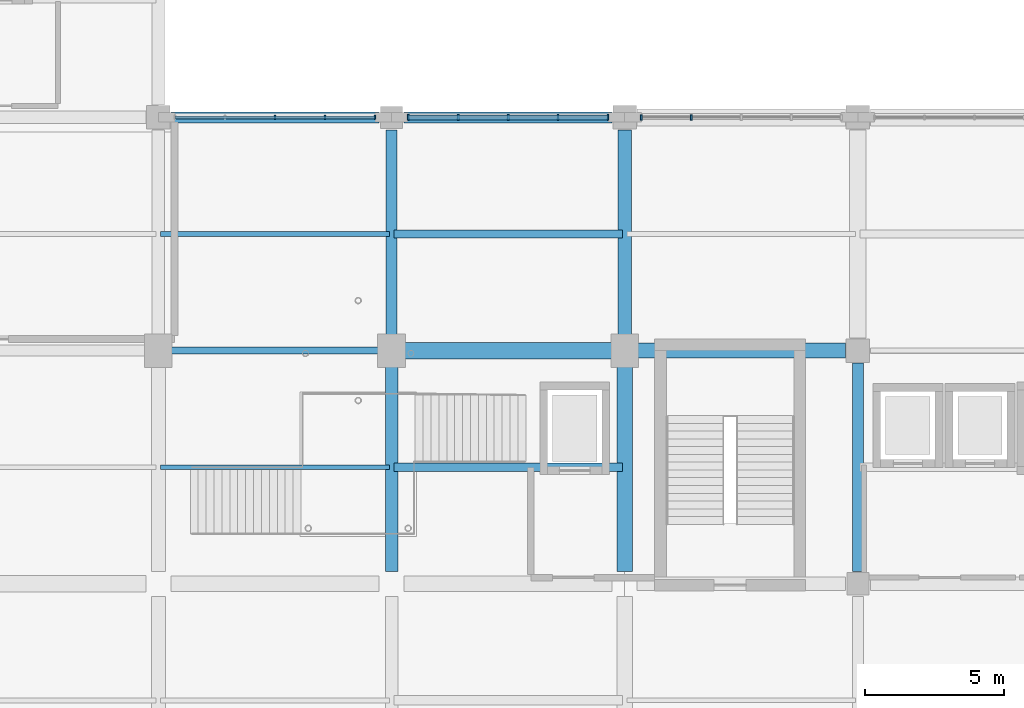
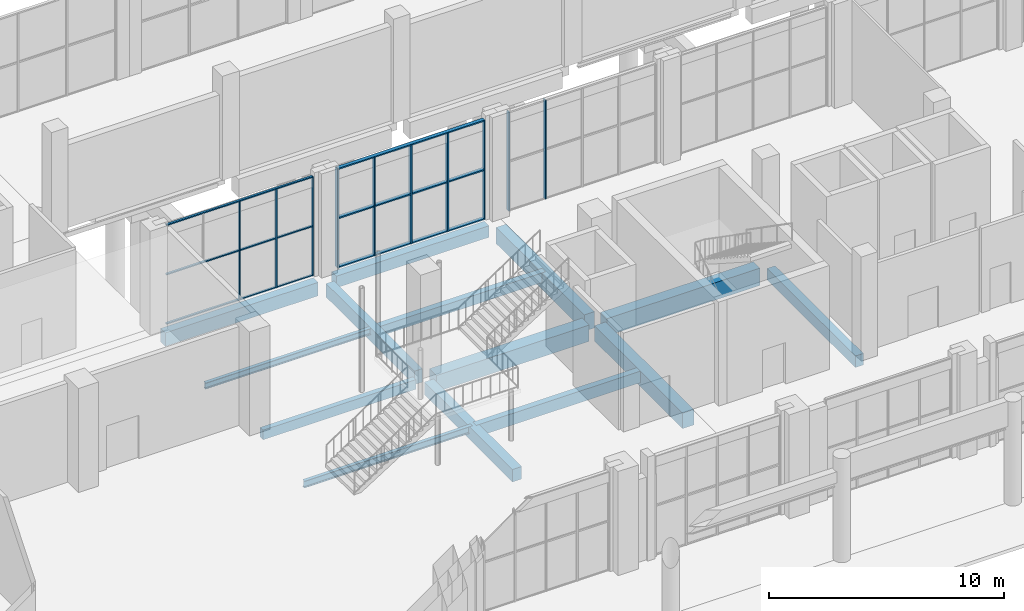
# One storey, part 28 of 82: 16 members, 14 beams, 3 elements without a shape of their own.
"""IFC4 building model written with IfcOpenShell, lengths in metres."""

from ifc_helpers import new_model, si_unit, derived_unit, direction, frame, origin, origin_2d, place, context, subcontext, project, spatial, rectangle, i_section, extrude, material, material_profile, profile_set, type_object, element, aggregate, save


model = new_model("IFC4")

# Units and contexts
model_context = context("Model", 3, precision=1e-05, world=origin(), true_north=direction((0.0, 1.0)))
body_context = subcontext(model_context, "Body", "Model", "MODEL_VIEW")
ifc_project = project(units=[si_unit("LENGTHUNIT", "METRE"), si_unit("AREAUNIT", "SQUARE_METRE"), si_unit("VOLUMEUNIT", "CUBIC_METRE"), si_unit("PLANEANGLEUNIT", "RADIAN"), si_unit("MASSUNIT", "GRAM", prefix="KILO"), derived_unit("THERMALTRANSMITTANCEUNIT", [(si_unit("POWERUNIT", "WATT"), 1), (si_unit("LENGTHUNIT", "METRE"), -2), (si_unit("THERMODYNAMICTEMPERATUREUNIT", "KELVIN"), -1)])], contexts=[model_context])

# Site, building, storey
site_placement = place(None, origin())
site = spatial("IfcSite", under=ifc_project, at=site_placement, CompositionType="ELEMENT")
building_placement = place(site_placement, origin())
building = spatial("IfcBuilding", under=site, at=building_placement, Name="Barrovel Congress Hotel", CompositionType="ELEMENT")
storey_placement = place(building_placement, origin())
storey = spatial("IfcBuildingStorey", under=building, at=storey_placement, Name="L00", CompositionType="ELEMENT", Elevation=0.0)

# Beams
ifc_material_1 = material(Name="Concrete C40", Category="concrete")
ifc_material_profile_1 = material_profile(ifc_material_1, rectangle(XDim=0.25, YDim=0.5, at=origin_2d()), Name="RC250x500")
ifc_profile_set_1 = profile_set([ifc_material_profile_1], Name="Concrete C40")
beam_type_1 = type_object("IfcBeamType", Name="BM-RC250x500", PredefinedType="SPANDREL", material=ifc_profile_set_1)
beam_1_placement = place(storey_placement, frame((59.25, 21.0, -0.570068359375), z_axis=(1.0, 0.0, 0.0), x_axis=(0.0, 1.0, 0.0)))
element("IfcBeam", 1, at=beam_1_placement, inside=storey, type_object=beam_type_1, Name="BMX:L00:21.0:58.8-67.2", PredefinedType="SPANDREL", context=body_context, shape_type="SweptSolid", body=[
    extrude(rectangle(XDim=0.25, YDim=0.5, at=origin_2d()), origin(), (0.0, 0.0, 1.0), 7.5),
])
ifc_material_profile_2 = material_profile(ifc_material_1, rectangle(XDim=0.300048828125, YDim=0.5, at=origin_2d()), Name="RC300x500")
ifc_profile_set_2 = profile_set([ifc_material_profile_2], Name="Concrete C40")
beam_type_2 = type_object("IfcBeamType", Name="BM-RC300x500", PredefinedType="JOIST", material=ifc_profile_set_2)
beam_2_placement = place(storey_placement, frame((67.280029296875, 25.199951171875, -0.570068359375), z_axis=(1.0, 0.0, 0.0), x_axis=(0.0, 1.0, 0.0)))
element("IfcBeam", 2, at=beam_2_placement, inside=storey, type_object=beam_type_2, Name="JST:L00:67.2:25.2", PredefinedType="JOIST", context=body_context, shape_type="SweptSolid", body=[
    extrude(rectangle(XDim=0.300048828125, YDim=0.5, at=origin_2d()), origin(), (0.0, 0.0, 1.0), 8.239990234375),
])
ifc_material_profile_3 = material_profile(ifc_material_1, rectangle(XDim=0.300048828125, YDim=0.60009765625, at=origin_2d()), Name="RC300x600")
ifc_profile_set_3 = profile_set([ifc_material_profile_3], Name="Concrete C40")
beam_type_3 = type_object("IfcBeamType", Name="BM-RC300x600", PredefinedType="JOIST", material=ifc_profile_set_3)
beam_3_placement = place(storey_placement, frame((67.280029296875, 16.800048828125, -0.6201171875), z_axis=(1.0, 0.0, 0.0), x_axis=(0.0, 1.0, 0.0)))
element("IfcBeam", 3, at=beam_3_placement, inside=storey, type_object=beam_type_3, Name="JST:L00:67.2:16.8", PredefinedType="JOIST", context=body_context, shape_type="SweptSolid", body=[
    extrude(rectangle(XDim=0.300048828125, YDim=0.60009765625, at=origin_2d()), origin(), (0.0, 0.0, 1.0), 8.239990234375),
])
ifc_material_profile_4 = material_profile(ifc_material_1, rectangle(XDim=0.39990234375, YDim=0.60009765625, at=origin_2d()), Name="RC400x600")
ifc_profile_set_4 = profile_set([ifc_material_profile_4], Name="Concrete C40")
beam_type_4 = type_object("IfcBeamType", Name="BM-RC400x600", PredefinedType="BEAM", material=ifc_profile_set_4)
for number, where, z_axis, x_axis, name in (
    (4, (67.64990234375, 29.39990234375, -0.6201171875), (1.0, 0.0, 0.0), (0.0, 1.0, 0.0), "BMX:L00:29.4:67.2-75.6"),
    (5, (84.0, 13.050048828125, -0.6201171875), (0.0, 1.0, 0.0), (-1.0, 0.0, 0.0), "BMY:L00:84.0:12.6-21.0"),
):
    element("IfcBeam", number, at=place(storey_placement, frame(where, z_axis=z_axis, x_axis=x_axis)), inside=storey, type_object=beam_type_4, Name=name, PredefinedType="BEAM", context=body_context, shape_type="SweptSolid", body=[
        extrude(rectangle(XDim=0.39990234375, YDim=0.60009765625, at=origin_2d()), origin(), (0.0, 0.0, 1.0), 7.5),
    ])
ifc_material_profile_5 = material_profile(ifc_material_1, rectangle(XDim=0.39990234375, YDim=0.699951171875, at=origin_2d()), Name="RC400x700")
ifc_profile_set_5 = profile_set([ifc_material_profile_5], Name="Concrete C40")
beam_type_5 = type_object("IfcBeamType", Name="BM-RC400x700", PredefinedType="BEAM", material=ifc_profile_set_5)
for number, where, z_axis, x_axis, name in (
    (6, (59.25, 29.39990234375, -0.669921875), (1.0, 0.0, 0.0), (0.0, 1.0, 0.0), "BMX:L00:29.4:58.8-67.2"),
    (7, (67.199951171875, 21.449951171875, -0.669921875), (0.0, 1.0, 0.0), (-1.0, 0.0, 0.0), "BMY:L00:67.2:21.0-29.4"),
):
    element("IfcBeam", number, at=place(storey_placement, frame(where, z_axis=z_axis, x_axis=x_axis)), inside=storey, type_object=beam_type_5, Name=name, PredefinedType="BEAM", context=body_context, shape_type="SweptSolid", body=[
        extrude(rectangle(XDim=0.39990234375, YDim=0.699951171875, at=origin_2d()), origin(), (0.0, 0.0, 1.0), 7.5),
    ])
ifc_material_profile_6 = material_profile(ifc_material_1, rectangle(XDim=0.449951171875, YDim=0.64990234375, at=origin_2d()), Name="RC450x650")
ifc_profile_set_6 = profile_set([ifc_material_profile_6], Name="Concrete C40")
beam_type_6 = type_object("IfcBeamType", Name="BM-RC450x650", PredefinedType="BEAM", material=ifc_profile_set_6)
beam_4_placement = place(storey_placement, frame((67.199951171875, 13.050048828125, -0.64501953125), z_axis=(0.0, 1.0, 0.0), x_axis=(-1.0, 0.0, 0.0)))
element("IfcBeam", 8, at=beam_4_placement, inside=storey, type_object=beam_type_6, Name="BMY:L00:67.2:12.6-21.0", PredefinedType="BEAM", context=body_context, shape_type="SweptSolid", body=[
    extrude(rectangle(XDim=0.449951171875, YDim=0.64990234375, at=origin_2d()), origin(), (0.0, 0.0, 1.0), 7.5),
])
ifc_material_profile_7 = material_profile(ifc_material_1, rectangle(XDim=0.5, YDim=0.85009765625, at=origin_2d()), Name="RC500x850")
ifc_profile_set_7 = profile_set([ifc_material_profile_7], Name="Concrete C40")
beam_type_7 = type_object("IfcBeamType", Name="BM-RC500x850", PredefinedType="BEAM", material=ifc_profile_set_7)
beam_5_placement = place(storey_placement, frame((75.60009765625, 21.449951171875, -0.7451171875), z_axis=(0.0, 1.0, 0.0), x_axis=(-1.0, 0.0, 0.0)))
element("IfcBeam", 9, at=beam_5_placement, inside=storey, type_object=beam_type_7, Name="BMY:L00:75.6:21.0-29.4", PredefinedType="BEAM", context=body_context, shape_type="SweptSolid", body=[
    extrude(rectangle(XDim=0.5, YDim=0.85009765625, at=origin_2d()), origin(), (0.0, 0.0, 1.0), 7.5),
])
ifc_material_profile_8 = material_profile(ifc_material_1, rectangle(XDim=0.550048828125, YDim=0.800048828125, at=origin_2d()), Name="RC550x800")
ifc_profile_set_8 = profile_set([ifc_material_profile_8], Name="Concrete C40")
beam_type_8 = type_object("IfcBeamType", Name="BM-RC550x800", PredefinedType="BEAM", material=ifc_profile_set_8)
beam_6_placement = place(storey_placement, frame((75.60009765625, 13.050048828125, -0.719970703125), z_axis=(0.0, 1.0, 0.0), x_axis=(-1.0, 0.0, 0.0)))
element("IfcBeam", 10, at=beam_6_placement, inside=storey, type_object=beam_type_8, Name="BMY:L00:75.6:12.6-21.0", PredefinedType="BEAM", context=body_context, shape_type="SweptSolid", body=[
    extrude(rectangle(XDim=0.550048828125, YDim=0.800048828125, at=origin_2d()), origin(), (0.0, 0.0, 1.0), 7.5),
])
ifc_material_profile_9 = material_profile(ifc_material_1, rectangle(XDim=0.550048828125, YDim=0.89990234375, at=origin_2d()), Name="RC550x900")
ifc_profile_set_9 = profile_set([ifc_material_profile_9], Name="Concrete C40")
beam_type_9 = type_object("IfcBeamType", Name="BM-RC550x900", PredefinedType="BEAM", material=ifc_profile_set_9)
beam_7_placement = place(storey_placement, frame((76.050048828125, 21.0, -0.77001953125), z_axis=(1.0, 0.0, 0.0), x_axis=(0.0, 1.0, 0.0)))
element("IfcBeam", 11, at=beam_7_placement, inside=storey, type_object=beam_type_9, Name="BMX:L00:21.0:75.6-84.0", PredefinedType="BEAM", context=body_context, shape_type="SweptSolid", body=[
    extrude(rectangle(XDim=0.550048828125, YDim=0.89990234375, at=origin_2d()), origin(), (0.0, 0.0, 1.0), 7.5),
])
ifc_material_profile_10 = material_profile(ifc_material_1, rectangle(XDim=0.60009765625, YDim=0.85009765625, at=origin_2d()), Name="RC600x850")
ifc_profile_set_10 = profile_set([ifc_material_profile_10], Name="Concrete C40")
beam_type_10 = type_object("IfcBeamType", Name="BM-RC600x850", PredefinedType="BEAM", material=ifc_profile_set_10)
beam_8_placement = place(storey_placement, frame((67.64990234375, 21.0, -0.7451171875), z_axis=(1.0, 0.0, 0.0), x_axis=(0.0, 1.0, 0.0)))
element("IfcBeam", 12, at=beam_8_placement, inside=storey, type_object=beam_type_10, Name="BMX:L00:21.0:67.2-75.6", PredefinedType="BEAM", context=body_context, shape_type="SweptSolid", body=[
    extrude(rectangle(XDim=0.60009765625, YDim=0.85009765625, at=origin_2d()), origin(), (0.0, 0.0, 1.0), 7.5),
])

# Curtain wall, members
ifc_material_2 = material(Name="Anodised Aluminium Alloy 6063-T6", Category="aluminium")
curtain_wall_type = type_object("IfcCurtainWallType", Name="CW-ST-7200x4800", PredefinedType="USERDEFINED", material=ifc_material_2)
curtain_wall_1_placement = place(storey_placement, origin())
curtain_wall_1 = element("IfcCurtainWall", 13, at=curtain_wall_1_placement, inside=storey, type_object=curtain_wall_type, Name="CW:L00:CS:07", ObjectType="STICK CURTAIN WALL", PredefinedType="USERDEFINED")
ifc_material_profile_11 = material_profile(ifc_material_2, rectangle(XDim=0.06005859375, YDim=0.139892578125, at=origin_2d()), Name="AL-M60x140")
ifc_profile_set_11 = profile_set([ifc_material_profile_11], Name="Anodised Aluminium Alloy 6063-T6")
member_type_1 = type_object("IfcMemberType", Name="CWM-AL-M60x140", PredefinedType="MULLION", material=ifc_profile_set_11)
member_1_placement = place(storey_placement, frame((66.60009765625, 29.39990234375, 0.0), z_axis=(0.0, 0.0, 1.0), x_axis=(1.0, 0.0, 0.0)))
member_1 = element("IfcMember", 14, at=member_1_placement, type_object=member_type_1, Name="CW:L00:CS:07:M0", PredefinedType="MULLION", context=body_context, shape_type="SweptSolid", body=[
    extrude(rectangle(XDim=0.06005859375, YDim=0.139892578125, at=origin_2d()), origin(), (0.0, 0.0, 1.0), 5.1201171875),
])
member_2_placement = place(storey_placement, frame((64.800048828125, 29.39990234375, 0.0), z_axis=(0.0, 0.0, 1.0), x_axis=(1.0, 0.0, 0.0)))
member_2 = element("IfcMember", 15, at=member_2_placement, type_object=member_type_1, Name="CW:L00:CS:07:M1", PredefinedType="MULLION", context=body_context, shape_type="SweptSolid", body=[
    extrude(rectangle(XDim=0.06005859375, YDim=0.139892578125, at=origin_2d()), origin(), (0.0, 0.0, 1.0), 5.1201171875),
])
member_3_placement = place(storey_placement, frame((63.0, 29.39990234375, 0.0), z_axis=(0.0, 0.0, 1.0), x_axis=(1.0, 0.0, 0.0)))
member_3 = element("IfcMember", 16, at=member_3_placement, type_object=member_type_1, Name="CW:L00:CS:07:M2", PredefinedType="MULLION", context=body_context, shape_type="SweptSolid", body=[
    extrude(rectangle(XDim=0.06005859375, YDim=0.139892578125, at=origin_2d()), origin(), (0.0, 0.0, 1.0), 5.1201171875),
])

curtain_wall_2_placement = place(storey_placement, origin())
curtain_wall_2 = element("IfcCurtainWall", 17, at=curtain_wall_2_placement, inside=storey, type_object=curtain_wall_type, Name="CW:L00:CS:09", ObjectType="STICK CURTAIN WALL", PredefinedType="USERDEFINED")
ifc_material_profile_12 = material_profile(ifc_material_2, rectangle(XDim=0.06494140625, YDim=0.18994140625, at=origin_2d()), Name="AL-M65x190")
ifc_profile_set_12 = profile_set([ifc_material_profile_12], Name="Anodised Aluminium Alloy 6063-T6")
member_type_2 = type_object("IfcMemberType", Name="CWM-AL-M65x190", PredefinedType="MULLION", material=ifc_profile_set_12)
member_4_placement = place(storey_placement, frame((78.0, 29.39990234375, 0.0), z_axis=(0.0, 0.0, 1.0), x_axis=(1.0, 0.0, 0.0)))
member_4 = element("IfcMember", 18, at=member_4_placement, type_object=member_type_2, Name="CW:L00:CS:09:M3", PredefinedType="MULLION", context=body_context, shape_type="SweptSolid", body=[
    extrude(rectangle(XDim=0.06494140625, YDim=0.18994140625, at=origin_2d()), origin(), (0.0, 0.0, 1.0), 5.1201171875),
])
member_5_placement = place(storey_placement, frame((76.199951171875, 29.39990234375, 0.0), z_axis=(0.0, 0.0, 1.0), x_axis=(1.0, 0.0, 0.0)))
member_5 = element("IfcMember", 19, at=member_5_placement, type_object=member_type_2, Name="CW:L00:CS:09:M4", PredefinedType="MULLION", context=body_context, shape_type="SweptSolid", body=[
    extrude(rectangle(XDim=0.06494140625, YDim=0.18994140625, at=origin_2d()), origin(), (0.0, 0.0, 1.0), 5.1201171875),
])
aggregate(curtain_wall_2, [member_4, member_5])

curtain_wall_3_placement = place(storey_placement, origin())
curtain_wall_3 = element("IfcCurtainWall", 20, at=curtain_wall_3_placement, inside=storey, type_object=curtain_wall_type, Name="CW:L00:CS:08", ObjectType="STICK CURTAIN WALL", PredefinedType="USERDEFINED")
ifc_material_profile_13 = material_profile(ifc_material_2, rectangle(XDim=0.06494140625, YDim=0.219970703125, at=origin_2d()), Name="AL-M65x220")
ifc_profile_set_13 = profile_set([ifc_material_profile_13], Name="Anodised Aluminium Alloy 6063-T6")
member_type_3 = type_object("IfcMemberType", Name="CWM-AL-M65x220", PredefinedType="MULLION", material=ifc_profile_set_13)
member_6_placement = place(storey_placement, frame((75.0, 29.39990234375, 0.0), z_axis=(0.0, 0.0, 1.0), x_axis=(1.0, 0.0, 0.0)))
member_6 = element("IfcMember", 21, at=member_6_placement, type_object=member_type_3, Name="CW:L00:CS:08:M0", PredefinedType="MULLION", context=body_context, shape_type="SweptSolid", body=[
    extrude(rectangle(XDim=0.06494140625, YDim=0.219970703125, at=origin_2d()), origin(), (0.0, 0.0, 1.0), 5.1201171875),
])
member_7_placement = place(storey_placement, frame((73.199951171875, 29.39990234375, 0.0), z_axis=(0.0, 0.0, 1.0), x_axis=(1.0, 0.0, 0.0)))
member_7 = element("IfcMember", 22, at=member_7_placement, type_object=member_type_3, Name="CW:L00:CS:08:M1", PredefinedType="MULLION", context=body_context, shape_type="SweptSolid", body=[
    extrude(rectangle(XDim=0.06494140625, YDim=0.219970703125, at=origin_2d()), origin(), (0.0, 0.0, 1.0), 5.1201171875),
])
member_8_placement = place(storey_placement, frame((71.39990234375, 29.39990234375, 0.0), z_axis=(0.0, 0.0, 1.0), x_axis=(1.0, 0.0, 0.0)))
member_8 = element("IfcMember", 23, at=member_8_placement, type_object=member_type_3, Name="CW:L00:CS:08:M2", PredefinedType="MULLION", context=body_context, shape_type="SweptSolid", body=[
    extrude(rectangle(XDim=0.06494140625, YDim=0.219970703125, at=origin_2d()), origin(), (0.0, 0.0, 1.0), 5.1201171875),
])
member_9_placement = place(storey_placement, frame((69.60009765625, 29.39990234375, 0.0), z_axis=(0.0, 0.0, 1.0), x_axis=(1.0, 0.0, 0.0)))
member_9 = element("IfcMember", 24, at=member_9_placement, type_object=member_type_3, Name="CW:L00:CS:08:M3", PredefinedType="MULLION", context=body_context, shape_type="SweptSolid", body=[
    extrude(rectangle(XDim=0.06494140625, YDim=0.219970703125, at=origin_2d()), origin(), (0.0, 0.0, 1.0), 5.1201171875),
])
member_10_placement = place(storey_placement, frame((67.800048828125, 29.39990234375, 0.0), z_axis=(0.0, 0.0, 1.0), x_axis=(1.0, 0.0, 0.0)))
member_10 = element("IfcMember", 25, at=member_10_placement, type_object=member_type_3, Name="CW:L00:CS:08:M4", PredefinedType="MULLION", context=body_context, shape_type="SweptSolid", body=[
    extrude(rectangle(XDim=0.06494140625, YDim=0.219970703125, at=origin_2d()), origin(), (0.0, 0.0, 1.0), 5.1201171875),
])

# Member
ifc_material_profile_14 = material_profile(ifc_material_2, rectangle(XDim=0.10498046875, YDim=0.06005859375, at=origin_2d()), Name="AL-T60x105")
ifc_profile_set_14 = profile_set([ifc_material_profile_14], Name="Anodised Aluminium Alloy 6063-T6")
member_type_4 = type_object("IfcMemberType", Name="CWT-AL-T60x105", PredefinedType="USERDEFINED", material=ifc_profile_set_14)
member_11_placement = place(storey_placement, frame((66.60009765625, 29.39990234375, 0.0), z_axis=(-1.0, 0.0, 0.0), x_axis=(0.0, -1.0, 0.0)))
member_11 = element("IfcMember", 26, at=member_11_placement, type_object=member_type_4, Name="CW:L00:CS:07:T0", ObjectType="TRANSOM", PredefinedType="USERDEFINED", context=body_context, shape_type="SweptSolid", body=[
    extrude(rectangle(XDim=0.10498046875, YDim=0.06005859375, at=origin_2d()), origin(), (0.0, 0.0, 1.0), 7.2001953125),
])

member_12_placement = place(storey_placement, frame((66.60009765625, 29.39990234375, 2.56005859375), z_axis=(-1.0, 0.0, 0.0), x_axis=(0.0, -1.0, 0.0)))
member_12 = element("IfcMember", 27, at=member_12_placement, type_object=member_type_4, Name="CW:L00:CS:07:T1", ObjectType="TRANSOM", PredefinedType="USERDEFINED", context=body_context, shape_type="SweptSolid", body=[
    extrude(rectangle(XDim=0.10498046875, YDim=0.06005859375, at=origin_2d()), origin(), (0.0, 0.0, 1.0), 7.2001953125),
])

member_13_placement = place(storey_placement, frame((66.60009765625, 29.39990234375, 5.1201171875), z_axis=(-1.0, 0.0, 0.0), x_axis=(0.0, -1.0, 0.0)))
member_13 = element("IfcMember", 28, at=member_13_placement, type_object=member_type_4, Name="CW:L00:CS:07:T2", ObjectType="TRANSOM", PredefinedType="USERDEFINED", context=body_context, shape_type="SweptSolid", body=[
    extrude(rectangle(XDim=0.10498046875, YDim=0.06005859375, at=origin_2d()), origin(), (0.0, 0.0, 1.0), 7.2001953125),
])

aggregate(curtain_wall_1, [member_1, member_2, member_3, member_11, member_12, member_13])

ifc_material_profile_15 = material_profile(ifc_material_2, rectangle(XDim=0.179931640625, YDim=0.06494140625, at=origin_2d()), Name="AL-T65x180")
ifc_profile_set_15 = profile_set([ifc_material_profile_15], Name="Anodised Aluminium Alloy 6063-T6")
member_type_5 = type_object("IfcMemberType", Name="CWT-AL-T65x180", PredefinedType="USERDEFINED", material=ifc_profile_set_15)
member_14_placement = place(storey_placement, frame((75.0, 29.39990234375, 0.0), z_axis=(-1.0, 0.0, 0.0), x_axis=(0.0, -1.0, 0.0)))
member_14 = element("IfcMember", 29, at=member_14_placement, type_object=member_type_5, Name="CW:L00:CS:08:T0", ObjectType="TRANSOM", PredefinedType="USERDEFINED", context=body_context, shape_type="SweptSolid", body=[
    extrude(rectangle(XDim=0.179931640625, YDim=0.06494140625, at=origin_2d()), origin(), (0.0, 0.0, 1.0), 7.199951171875),
])

member_15_placement = place(storey_placement, frame((75.0, 29.39990234375, 2.56005859375), z_axis=(-1.0, 0.0, 0.0), x_axis=(0.0, -1.0, 0.0)))
member_15 = element("IfcMember", 30, at=member_15_placement, type_object=member_type_5, Name="CW:L00:CS:08:T1", ObjectType="TRANSOM", PredefinedType="USERDEFINED", context=body_context, shape_type="SweptSolid", body=[
    extrude(rectangle(XDim=0.179931640625, YDim=0.06494140625, at=origin_2d()), origin(), (0.0, 0.0, 1.0), 7.199951171875),
])

member_16_placement = place(storey_placement, frame((75.0, 29.39990234375, 5.1201171875), z_axis=(-1.0, 0.0, 0.0), x_axis=(0.0, -1.0, 0.0)))
member_16 = element("IfcMember", 31, at=member_16_placement, type_object=member_type_5, Name="CW:L00:CS:08:T2", ObjectType="TRANSOM", PredefinedType="USERDEFINED", context=body_context, shape_type="SweptSolid", body=[
    extrude(rectangle(XDim=0.179931640625, YDim=0.06494140625, at=origin_2d()), origin(), (0.0, 0.0, 1.0), 7.199951171875),
])

aggregate(curtain_wall_3, [member_6, member_7, member_8, member_9, member_10, member_14, member_15, member_16])

# Beams
ifc_material_3 = material(Name="Steel ASTM A992 Grade 50", Category="steel")
ifc_material_profile_16 = material_profile(ifc_material_3, i_section(OverallWidth=0.1669921875, OverallDepth=0.31689453125, WebThickness=0.007568359375, FlangeThickness=0.01318359375, FilletRadius=0.010986328125, at=origin_2d()), Name="W310x52")
ifc_profile_set_16 = profile_set([ifc_material_profile_16], Name="Steel ASTM A992 Grade 50")
beam_type_11 = type_object("IfcBeamType", Name="SBM-W310x52", PredefinedType="JOIST", material=ifc_profile_set_16)
beam_9_placement = place(storey_placement, frame((58.8798828125, 25.199951171875, -0.478515625), z_axis=(1.0, 0.0, 0.0), x_axis=(0.0, 1.0, 0.0)))
element("IfcBeam", 32, at=beam_9_placement, inside=storey, type_object=beam_type_11, Name="JST:L00:58.8:25.2", PredefinedType="JOIST", context=body_context, shape_type="SweptSolid", body=[
    extrude(i_section(OverallWidth=0.1669921875, OverallDepth=0.31689453125, WebThickness=0.007568359375, FlangeThickness=0.01318359375, FilletRadius=0.010986328125, at=origin_2d()), origin(), (0.0, 0.0, 1.0), 8.240234375),
])
ifc_material_profile_17 = material_profile(ifc_material_3, i_section(OverallWidth=0.1708984375, OverallDepth=0.35205078125, WebThickness=0.0068359375, FlangeThickness=0.009765625, FilletRadius=0.011962890625, at=origin_2d()), Name="W360x44")
ifc_profile_set_17 = profile_set([ifc_material_profile_17], Name="Steel ASTM A992 Grade 50")
beam_type_12 = type_object("IfcBeamType", Name="SBM-W360x44", PredefinedType="JOIST", material=ifc_profile_set_17)
beam_10_placement = place(storey_placement, frame((58.8798828125, 16.800048828125, -0.49609375), z_axis=(1.0, 0.0, 0.0), x_axis=(0.0, 1.0, 0.0)))
element("IfcBeam", 33, at=beam_10_placement, inside=storey, type_object=beam_type_12, Name="JST:L00:58.8:16.8", PredefinedType="JOIST", context=body_context, shape_type="SweptSolid", body=[
    extrude(i_section(OverallWidth=0.1708984375, OverallDepth=0.35205078125, WebThickness=0.0068359375, FlangeThickness=0.009765625, FilletRadius=0.011962890625, at=origin_2d()), origin(), (0.0, 0.0, 1.0), 8.240234375),
])

save(model, "model.ifc")
